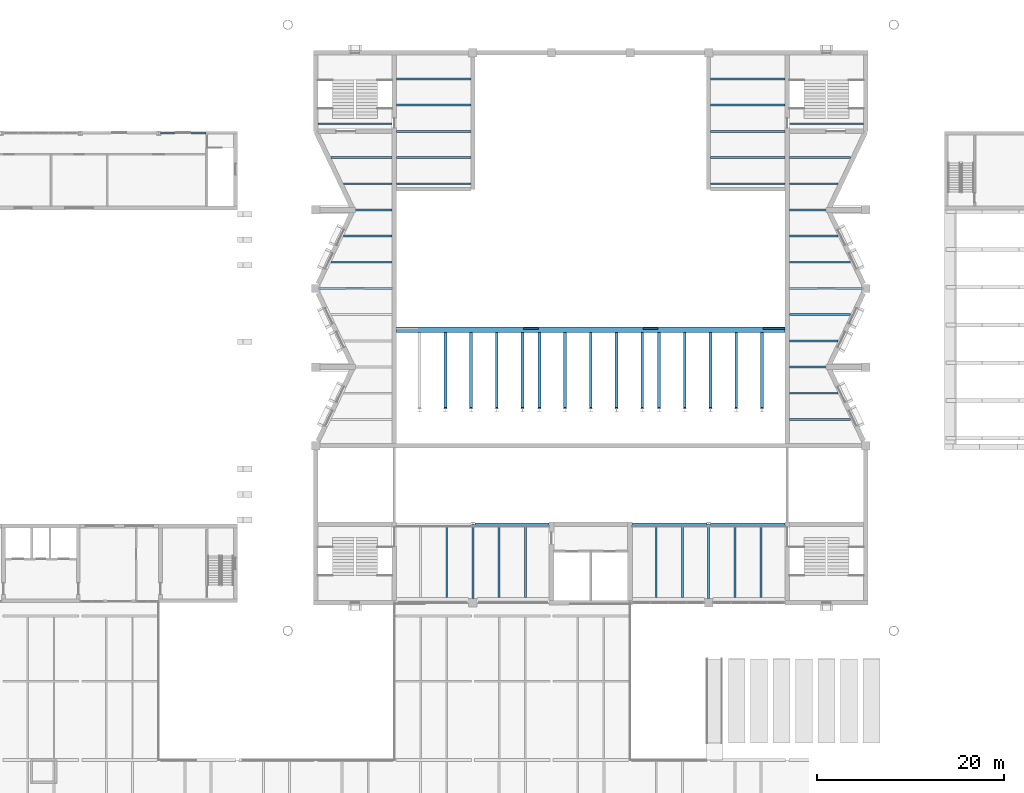
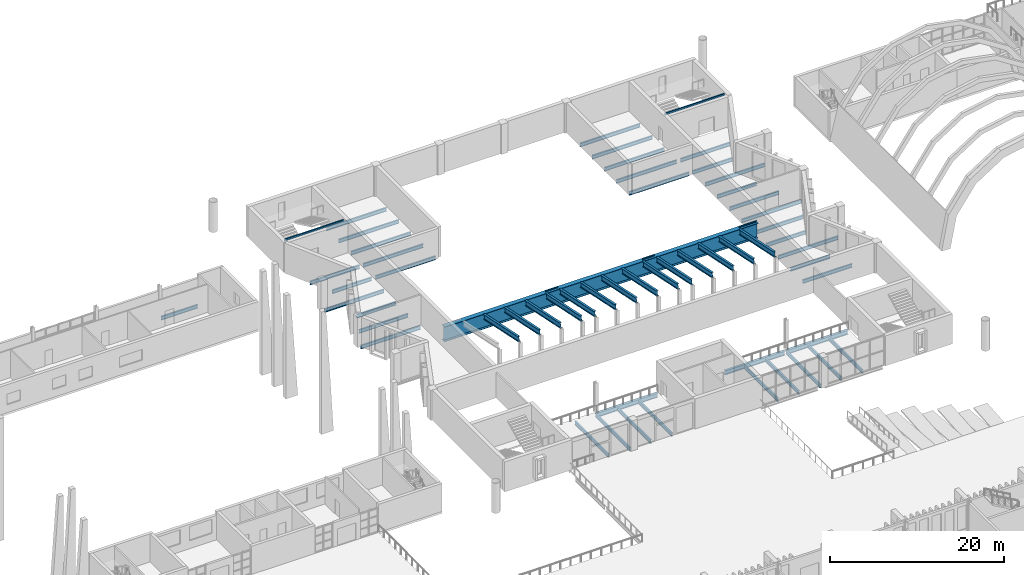
# One storey, part 35 of 96: 60 beams.
"""IFC4 building model written with IfcOpenShell, lengths in metres."""

from ifc_helpers import new_model, si_unit, direction, frame, origin, origin_2d, place, context, subcontext, project, spatial, i_section, extrude, material, material_profile, profile_set, type_object, element, save


model = new_model("IFC4")

# Units and contexts
model_context = context("Model", 3, precision=1e-05, world=origin(), true_north=direction((0.0, 1.0)))
body_context = subcontext(model_context, "Body", "Model", "MODEL_VIEW")
ifc_project = project(units=[si_unit("LENGTHUNIT", "METRE"), si_unit("AREAUNIT", "SQUARE_METRE"), si_unit("VOLUMEUNIT", "CUBIC_METRE"), si_unit("PLANEANGLEUNIT", "RADIAN"), si_unit("MASSUNIT", "GRAM", prefix="KILO")], contexts=[model_context])

# Site, building, storey
site_placement = place(None, origin())
site = spatial("IfcSite", under=ifc_project, at=site_placement, CompositionType="ELEMENT")
building_placement = place(site_placement, origin())
building = spatial("IfcBuilding", under=site, at=building_placement, Name="Cresset Court Congress Hotel", CompositionType="ELEMENT")
storey_placement = place(building_placement, frame((0.0, 0.0, 6.0)))
storey = spatial("IfcBuildingStorey", under=building, at=storey_placement, Name="L01", CompositionType="ELEMENT", Elevation=6.0)

# Beams
ifc_material_1 = material(Name="Structural steel Q355B", Category="steel")
ifc_material_profile_1 = material_profile(ifc_material_1, i_section(OverallWidth=0.300048828125, OverallDepth=0.587890625, WebThickness=0.011962890625, FlangeThickness=0.02001953125, FilletRadius=0.028076171875, at=origin_2d()), Name="HM588x300x12x20")
ifc_profile_set_1 = profile_set([ifc_material_profile_1], Name="Structural steel Q355B")
beam_type_1 = type_object("IfcBeamType", Name="Steel HM588x300x12x20 girder", PredefinedType="BEAM", material=ifc_profile_set_1)
beam_1_placement = place(storey_placement, frame((75.800048828125, 67.199951171875, -0.444091796875), z_axis=(1.0, 0.0, 0.0), x_axis=(0.0, 1.0, 0.0)))
element("IfcBeam", 1, at=beam_1_placement, inside=storey, type_object=beam_type_1, Name="Girder CG-F012", PredefinedType="BEAM", context=body_context, shape_type="SweptSolid", body=[
    extrude(i_section(OverallWidth=0.300048828125, OverallDepth=0.587890625, WebThickness=0.011962890625, FlangeThickness=0.02001953125, FilletRadius=0.028076171875, at=origin_2d()), origin(), (0.0, 0.0, 1.0), 7.949951171875),
])
beam_2_placement = place(storey_placement, frame((92.64990234375, 67.199951171875, -0.444091796875), z_axis=(1.0, 0.0, 0.0), x_axis=(0.0, 1.0, 0.0)))
element("IfcBeam", 2, at=beam_2_placement, inside=storey, type_object=beam_type_1, Name="Girder CG-F013", PredefinedType="BEAM", context=body_context, shape_type="SweptSolid", body=[
    extrude(i_section(OverallWidth=0.300048828125, OverallDepth=0.587890625, WebThickness=0.011962890625, FlangeThickness=0.02001953125, FilletRadius=0.028076171875, at=origin_2d()), origin(), (0.0, 0.0, 1.0), 7.9501953125),
])
beam_3_placement = place(storey_placement, frame((101.0, 67.199951171875, -0.444091796875), z_axis=(1.0, 0.0, 0.0), x_axis=(0.0, 1.0, 0.0)))
element("IfcBeam", 3, at=beam_3_placement, inside=storey, type_object=beam_type_1, Name="Girder CG-F014", PredefinedType="BEAM", context=body_context, shape_type="SweptSolid", body=[
    extrude(i_section(OverallWidth=0.300048828125, OverallDepth=0.587890625, WebThickness=0.011962890625, FlangeThickness=0.02001953125, FilletRadius=0.028076171875, at=origin_2d()), origin(), (0.0, 0.0, 1.0), 7.949951171875),
])
ifc_material_2 = material(Name="Structural steel Q355B", Category="steel")
ifc_material_profile_2 = material_profile(ifc_material_2, i_section(OverallWidth=0.14990234375, OverallDepth=0.300048828125, WebThickness=0.006591796875, FlangeThickness=0.009033203125, FilletRadius=0.012939453125, at=origin_2d()), Name="HN300x150x6.5x9")
ifc_profile_set_2 = profile_set([ifc_material_profile_2], Name="Structural steel Q355B")
beam_type_2 = type_object("IfcBeamType", Name="Steel HN300x150x6.5x9 strip beam", PredefinedType="BEAM", material=ifc_profile_set_2)
beam_4_placement = place(storey_placement, frame((59.050048828125, 110.02490234375, 3.85009765625), z_axis=(1.0, 0.0, 0.0), x_axis=(0.0, 1.0, 0.0)))
element("IfcBeam", 4, at=beam_4_placement, inside=storey, type_object=beam_type_2, Name="Beam CC-C3L02", PredefinedType="BEAM", context=body_context, shape_type="SweptSolid", body=[
    extrude(i_section(OverallWidth=0.14990234375, OverallDepth=0.300048828125, WebThickness=0.006591796875, FlangeThickness=0.009033203125, FilletRadius=0.012939453125, at=origin_2d()), origin(), (0.0, 0.0, 1.0), 7.89990234375),
])
beam_5_placement = place(storey_placement, frame((109.449951171875, 110.02490234375, 3.85009765625), z_axis=(1.0, 0.0, 0.0), x_axis=(0.0, 1.0, 0.0)))
element("IfcBeam", 5, at=beam_5_placement, inside=storey, type_object=beam_type_2, Name="Beam CC-C4L02", PredefinedType="BEAM", context=body_context, shape_type="SweptSolid", body=[
    extrude(i_section(OverallWidth=0.14990234375, OverallDepth=0.300048828125, WebThickness=0.006591796875, FlangeThickness=0.009033203125, FilletRadius=0.012939453125, at=origin_2d()), origin(), (0.0, 0.0, 1.0), 7.900146484375),
])
ifc_material_3 = material(Name="Structural steel Q355B", Category="steel")
ifc_material_profile_3 = material_profile(ifc_material_3, i_section(OverallWidth=0.199951171875, OverallDepth=0.5, WebThickness=0.010009765625, FlangeThickness=0.01611328125, FilletRadius=0.012939453125, at=origin_2d()), Name="HN500x200x10x16")
ifc_profile_set_3 = profile_set([ifc_material_profile_3], Name="Structural steel Q355B")
beam_type_3 = type_object("IfcBeamType", Name="Steel HN500x200x10x16 beam", PredefinedType="BEAM", material=ifc_profile_set_3)
beam_6_placement = place(storey_placement, frame((72.800048828125, 59.35009765625, -0.39990234375), z_axis=(0.0, 1.0, 0.0), x_axis=(-1.0, 0.0, 0.0)))
element("IfcBeam", 6, at=beam_6_placement, inside=storey, type_object=beam_type_3, Name="Beam CB-F012", PredefinedType="BEAM", context=body_context, shape_type="SweptSolid", body=[
    extrude(i_section(OverallWidth=0.199951171875, OverallDepth=0.5, WebThickness=0.010009765625, FlangeThickness=0.01611328125, FilletRadius=0.012939453125, at=origin_2d()), origin(), (0.0, 0.0, 1.0), 7.699951171875),
])
beam_7_placement = place(storey_placement, frame((75.60009765625, 59.25, -0.39990234375), z_axis=(0.0, 1.0, 0.0), x_axis=(-1.0, 0.0, 0.0)))
element("IfcBeam", 7, at=beam_7_placement, inside=storey, type_object=beam_type_3, Name="Beam CB-F013", PredefinedType="BEAM", context=body_context, shape_type="SweptSolid", body=[
    extrude(i_section(OverallWidth=0.199951171875, OverallDepth=0.5, WebThickness=0.010009765625, FlangeThickness=0.01611328125, FilletRadius=0.012939453125, at=origin_2d()), origin(), (0.0, 0.0, 1.0), 7.949951171875),
])
for number, where, z_axis, x_axis, name in (
    (8, (78.39990234375, 59.35009765625, -0.39990234375), (0.0, 1.0, 0.0), (-1.0, 0.0, 0.0), "Beam CB-F014"),
    (9, (81.199951171875, 59.35009765625, -0.39990234375), (0.0, 1.0, 0.0), (-1.0, 0.0, 0.0), "Beam CB-F015"),
    (10, (95.199951171875, 59.35009765625, -0.39990234375), (0.0, 1.0, 0.0), (-1.0, 0.0, 0.0), "Beam CB-F016"),
    (11, (98.0, 59.35009765625, -0.39990234375), (0.0, 1.0, 0.0), (-1.0, 0.0, 0.0), "Beam CB-F017"),
):
    element("IfcBeam", number, at=place(storey_placement, frame(where, z_axis=z_axis, x_axis=x_axis)), inside=storey, type_object=beam_type_3, Name=name, PredefinedType="BEAM", context=body_context, shape_type="SweptSolid", body=[
        extrude(i_section(OverallWidth=0.199951171875, OverallDepth=0.5, WebThickness=0.010009765625, FlangeThickness=0.01611328125, FilletRadius=0.012939453125, at=origin_2d()), origin(), (0.0, 0.0, 1.0), 7.699951171875),
    ])
beam_8_placement = place(storey_placement, frame((100.800048828125, 59.25, -0.39990234375), z_axis=(0.0, 1.0, 0.0), x_axis=(-1.0, 0.0, 0.0)))
element("IfcBeam", 12, at=beam_8_placement, inside=storey, type_object=beam_type_3, Name="Beam CB-F018", PredefinedType="BEAM", context=body_context, shape_type="SweptSolid", body=[
    extrude(i_section(OverallWidth=0.199951171875, OverallDepth=0.5, WebThickness=0.010009765625, FlangeThickness=0.01611328125, FilletRadius=0.012939453125, at=origin_2d()), origin(), (0.0, 0.0, 1.0), 7.949951171875),
])
for number, where, z_axis, x_axis, name in (
    (13, (103.60009765625, 59.35009765625, -0.39990234375), (0.0, 1.0, 0.0), (-1.0, 0.0, 0.0), "Beam CB-F019"),
    (14, (106.39990234375, 59.35009765625, -0.39990234375), (0.0, 1.0, 0.0), (-1.0, 0.0, 0.0), "Beam CB-F0110"),
):
    element("IfcBeam", number, at=place(storey_placement, frame(where, z_axis=z_axis, x_axis=x_axis)), inside=storey, type_object=beam_type_3, Name=name, PredefinedType="BEAM", context=body_context, shape_type="SweptSolid", body=[
        extrude(i_section(OverallWidth=0.199951171875, OverallDepth=0.5, WebThickness=0.010009765625, FlangeThickness=0.01611328125, FilletRadius=0.012939453125, at=origin_2d()), origin(), (0.0, 0.0, 1.0), 7.699951171875),
    ])
beam_9_placement = place(storey_placement, frame((59.050048828125, 92.39990234375, -0.39990234375), z_axis=(1.0, 0.0, 0.0), x_axis=(0.0, 1.0, 0.0)))
element("IfcBeam", 15, at=beam_9_placement, inside=storey, type_object=beam_type_3, Name="Beam CB-G16", PredefinedType="BEAM", context=body_context, shape_type="SweptSolid", body=[
    extrude(i_section(OverallWidth=0.199951171875, OverallDepth=0.5, WebThickness=0.010009765625, FlangeThickness=0.01611328125, FilletRadius=0.012939453125, at=origin_2d()), origin(), (0.0, 0.0, 1.0), 7.89990234375),
])
beam_10_placement = place(storey_placement, frame((60.41015625, 95.199951171875, -0.39990234375), z_axis=(1.0, 0.0, 0.0), x_axis=(0.0, 1.0, 0.0)))
element("IfcBeam", 16, at=beam_10_placement, inside=storey, type_object=beam_type_3, Name="Beam CB-G17", PredefinedType="BEAM", context=body_context, shape_type="SweptSolid", body=[
    extrude(i_section(OverallWidth=0.199951171875, OverallDepth=0.5, WebThickness=0.010009765625, FlangeThickness=0.01611328125, FilletRadius=0.012939453125, at=origin_2d()), origin(), (0.0, 0.0, 1.0), 6.539794921875),
])
beam_11_placement = place(storey_placement, frame((61.74365234375, 98.0, -0.39990234375), z_axis=(1.0, 0.0, 0.0), x_axis=(0.0, 1.0, 0.0)))
element("IfcBeam", 17, at=beam_11_placement, inside=storey, type_object=beam_type_3, Name="Beam CB-G18", PredefinedType="BEAM", context=body_context, shape_type="SweptSolid", body=[
    extrude(i_section(OverallWidth=0.199951171875, OverallDepth=0.5, WebThickness=0.010009765625, FlangeThickness=0.01611328125, FilletRadius=0.012939453125, at=origin_2d()), origin(), (0.0, 0.0, 1.0), 5.206298828125),
])
beam_12_placement = place(storey_placement, frame((59.050048828125, 100.800048828125, -0.39990234375), z_axis=(1.0, 0.0, 0.0), x_axis=(0.0, 1.0, 0.0)))
element("IfcBeam", 18, at=beam_12_placement, inside=storey, type_object=beam_type_3, Name="Beam CB-G19", PredefinedType="BEAM", context=body_context, shape_type="SweptSolid", body=[
    extrude(i_section(OverallWidth=0.199951171875, OverallDepth=0.5, WebThickness=0.010009765625, FlangeThickness=0.01611328125, FilletRadius=0.012939453125, at=origin_2d()), origin(), (0.0, 0.0, 1.0), 7.89990234375),
])
beam_13_placement = place(storey_placement, frame((61.74365234375, 103.60009765625, -0.39990234375), z_axis=(1.0, 0.0, 0.0), x_axis=(0.0, 1.0, 0.0)))
element("IfcBeam", 19, at=beam_13_placement, inside=storey, type_object=beam_type_3, Name="Beam CB-G110", PredefinedType="BEAM", context=body_context, shape_type="SweptSolid", body=[
    extrude(i_section(OverallWidth=0.199951171875, OverallDepth=0.5, WebThickness=0.010009765625, FlangeThickness=0.01611328125, FilletRadius=0.012939453125, at=origin_2d()), origin(), (0.0, 0.0, 1.0), 5.206298828125),
])
for number, where, z_axis, x_axis, name in (
    (20, (60.41015625, 106.39990234375, -0.39990234375), (1.0, 0.0, 0.0), (0.0, 1.0, 0.0), "Beam CB-G111"),
    (21, (109.449951171875, 78.39990234375, -0.39990234375), (1.0, 0.0, 0.0), (0.0, 1.0, 0.0), "Beam CB-G21"),
):
    element("IfcBeam", number, at=place(storey_placement, frame(where, z_axis=z_axis, x_axis=x_axis)), inside=storey, type_object=beam_type_3, Name=name, PredefinedType="BEAM", context=body_context, shape_type="SweptSolid", body=[
        extrude(i_section(OverallWidth=0.199951171875, OverallDepth=0.5, WebThickness=0.010009765625, FlangeThickness=0.01611328125, FilletRadius=0.012939453125, at=origin_2d()), origin(), (0.0, 0.0, 1.0), 6.539794921875),
    ])
beam_14_placement = place(storey_placement, frame((109.449951171875, 81.199951171875, -0.39990234375), z_axis=(1.0, 0.0, 0.0), x_axis=(0.0, 1.0, 0.0)))
element("IfcBeam", 22, at=beam_14_placement, inside=storey, type_object=beam_type_3, Name="Beam CB-G22", PredefinedType="BEAM", context=body_context, shape_type="SweptSolid", body=[
    extrude(i_section(OverallWidth=0.199951171875, OverallDepth=0.5, WebThickness=0.010009765625, FlangeThickness=0.01611328125, FilletRadius=0.012939453125, at=origin_2d()), origin(), (0.0, 0.0, 1.0), 5.20654296875),
])
beam_15_placement = place(storey_placement, frame((109.449951171875, 84.0, -0.39990234375), z_axis=(1.0, 0.0, 0.0), x_axis=(0.0, 1.0, 0.0)))
element("IfcBeam", 23, at=beam_15_placement, inside=storey, type_object=beam_type_3, Name="Beam CB-G23", PredefinedType="BEAM", context=body_context, shape_type="SweptSolid", body=[
    extrude(i_section(OverallWidth=0.199951171875, OverallDepth=0.5, WebThickness=0.010009765625, FlangeThickness=0.01611328125, FilletRadius=0.012939453125, at=origin_2d()), origin(), (0.0, 0.0, 1.0), 7.900146484375),
])
beam_16_placement = place(storey_placement, frame((109.449951171875, 86.800048828125, -0.39990234375), z_axis=(1.0, 0.0, 0.0), x_axis=(0.0, 1.0, 0.0)))
element("IfcBeam", 24, at=beam_16_placement, inside=storey, type_object=beam_type_3, Name="Beam CB-G24", PredefinedType="BEAM", context=body_context, shape_type="SweptSolid", body=[
    extrude(i_section(OverallWidth=0.199951171875, OverallDepth=0.5, WebThickness=0.010009765625, FlangeThickness=0.01611328125, FilletRadius=0.012939453125, at=origin_2d()), origin(), (0.0, 0.0, 1.0), 5.20654296875),
])
beam_17_placement = place(storey_placement, frame((109.449951171875, 89.60009765625, -0.39990234375), z_axis=(1.0, 0.0, 0.0), x_axis=(0.0, 1.0, 0.0)))
element("IfcBeam", 25, at=beam_17_placement, inside=storey, type_object=beam_type_3, Name="Beam CB-G25", PredefinedType="BEAM", context=body_context, shape_type="SweptSolid", body=[
    extrude(i_section(OverallWidth=0.199951171875, OverallDepth=0.5, WebThickness=0.010009765625, FlangeThickness=0.01611328125, FilletRadius=0.012939453125, at=origin_2d()), origin(), (0.0, 0.0, 1.0), 6.539794921875),
])
beam_18_placement = place(storey_placement, frame((109.449951171875, 92.39990234375, -0.39990234375), z_axis=(1.0, 0.0, 0.0), x_axis=(0.0, 1.0, 0.0)))
element("IfcBeam", 26, at=beam_18_placement, inside=storey, type_object=beam_type_3, Name="Beam CB-G26", PredefinedType="BEAM", context=body_context, shape_type="SweptSolid", body=[
    extrude(i_section(OverallWidth=0.199951171875, OverallDepth=0.5, WebThickness=0.010009765625, FlangeThickness=0.01611328125, FilletRadius=0.012939453125, at=origin_2d()), origin(), (0.0, 0.0, 1.0), 7.900146484375),
])
beam_19_placement = place(storey_placement, frame((109.449951171875, 95.199951171875, -0.39990234375), z_axis=(1.0, 0.0, 0.0), x_axis=(0.0, 1.0, 0.0)))
element("IfcBeam", 27, at=beam_19_placement, inside=storey, type_object=beam_type_3, Name="Beam CB-G27", PredefinedType="BEAM", context=body_context, shape_type="SweptSolid", body=[
    extrude(i_section(OverallWidth=0.199951171875, OverallDepth=0.5, WebThickness=0.010009765625, FlangeThickness=0.01611328125, FilletRadius=0.012939453125, at=origin_2d()), origin(), (0.0, 0.0, 1.0), 6.539794921875),
])
beam_20_placement = place(storey_placement, frame((109.449951171875, 98.0, -0.39990234375), z_axis=(1.0, 0.0, 0.0), x_axis=(0.0, 1.0, 0.0)))
element("IfcBeam", 28, at=beam_20_placement, inside=storey, type_object=beam_type_3, Name="Beam CB-G28", PredefinedType="BEAM", context=body_context, shape_type="SweptSolid", body=[
    extrude(i_section(OverallWidth=0.199951171875, OverallDepth=0.5, WebThickness=0.010009765625, FlangeThickness=0.01611328125, FilletRadius=0.012939453125, at=origin_2d()), origin(), (0.0, 0.0, 1.0), 5.20654296875),
])
beam_21_placement = place(storey_placement, frame((109.449951171875, 100.800048828125, -0.39990234375), z_axis=(1.0, 0.0, 0.0), x_axis=(0.0, 1.0, 0.0)))
element("IfcBeam", 29, at=beam_21_placement, inside=storey, type_object=beam_type_3, Name="Beam CB-G29", PredefinedType="BEAM", context=body_context, shape_type="SweptSolid", body=[
    extrude(i_section(OverallWidth=0.199951171875, OverallDepth=0.5, WebThickness=0.010009765625, FlangeThickness=0.01611328125, FilletRadius=0.012939453125, at=origin_2d()), origin(), (0.0, 0.0, 1.0), 7.900146484375),
])
beam_22_placement = place(storey_placement, frame((109.449951171875, 103.60009765625, -0.39990234375), z_axis=(1.0, 0.0, 0.0), x_axis=(0.0, 1.0, 0.0)))
element("IfcBeam", 30, at=beam_22_placement, inside=storey, type_object=beam_type_3, Name="Beam CB-G210", PredefinedType="BEAM", context=body_context, shape_type="SweptSolid", body=[
    extrude(i_section(OverallWidth=0.199951171875, OverallDepth=0.5, WebThickness=0.010009765625, FlangeThickness=0.01611328125, FilletRadius=0.012939453125, at=origin_2d()), origin(), (0.0, 0.0, 1.0), 5.20654296875),
])
beam_23_placement = place(storey_placement, frame((109.449951171875, 106.39990234375, -0.39990234375), z_axis=(1.0, 0.0, 0.0), x_axis=(0.0, 1.0, 0.0)))
element("IfcBeam", 31, at=beam_23_placement, inside=storey, type_object=beam_type_3, Name="Beam CB-G211", PredefinedType="BEAM", context=body_context, shape_type="SweptSolid", body=[
    extrude(i_section(OverallWidth=0.199951171875, OverallDepth=0.5, WebThickness=0.010009765625, FlangeThickness=0.01611328125, FilletRadius=0.012939453125, at=origin_2d()), origin(), (0.0, 0.0, 1.0), 6.539794921875),
])
for number, where, z_axis, x_axis, name in (
    (32, (67.449951171875, 103.60009765625, -0.39990234375), (1.0, 0.0, 0.0), (0.0, 1.0, 0.0), "Beam CB-W1011"),
    (33, (67.449951171875, 106.39990234375, -0.39990234375), (1.0, 0.0, 0.0), (0.0, 1.0, 0.0), "Beam CB-W1012"),
    (34, (67.449951171875, 109.199951171875, -0.39990234375), (1.0, 0.0, 0.0), (0.0, 1.0, 0.0), "Beam CB-W1013"),
    (35, (67.449951171875, 112.0, -0.39990234375), (1.0, 0.0, 0.0), (0.0, 1.0, 0.0), "Beam CB-W1014"),
    (36, (67.449951171875, 114.800048828125, -0.39990234375), (1.0, 0.0, 0.0), (0.0, 1.0, 0.0), "Beam CB-W1015"),
    (37, (101.0, 103.60009765625, -0.39990234375), (1.0, 0.0, 0.0), (0.0, 1.0, 0.0), "Beam CB-W2011"),
    (38, (101.0, 106.39990234375, -0.39990234375), (1.0, 0.0, 0.0), (0.0, 1.0, 0.0), "Beam CB-W2012"),
    (39, (101.0, 109.199951171875, -0.39990234375), (1.0, 0.0, 0.0), (0.0, 1.0, 0.0), "Beam CB-W2013"),
    (40, (101.0, 112.0, -0.39990234375), (1.0, 0.0, 0.0), (0.0, 1.0, 0.0), "Beam CB-W2014"),
    (41, (101.0, 114.800048828125, -0.39990234375), (1.0, 0.0, 0.0), (0.0, 1.0, 0.0), "Beam CB-W2015"),
):
    element("IfcBeam", number, at=place(storey_placement, frame(where, z_axis=z_axis, x_axis=x_axis)), inside=storey, type_object=beam_type_3, Name=name, PredefinedType="BEAM", context=body_context, shape_type="SweptSolid", body=[
        extrude(i_section(OverallWidth=0.199951171875, OverallDepth=0.5, WebThickness=0.010009765625, FlangeThickness=0.01611328125, FilletRadius=0.012939453125, at=origin_2d()), origin(), (0.0, 0.0, 1.0), 7.949951171875),
    ])
ifc_material_4 = material(Name="Structural steel Q355B", Category="steel")
ifc_material_profile_4 = material_profile(ifc_material_4, i_section(OverallWidth=0.300048828125, OverallDepth=0.69189453125, WebThickness=0.012939453125, FlangeThickness=0.02001953125, FilletRadius=0.01806640625, at=origin_2d()), Name="HN692x300x13x20")
ifc_profile_set_4 = profile_set([ifc_material_profile_4], Name="Structural steel Q355B")
beam_type_4 = type_object("IfcBeamType", Name="Steel HN692x300x13x20 front raker beam", PredefinedType="BEAM", material=ifc_profile_set_4)
for number, where, z_axis, x_axis, name in (
    (42, (72.64990234375, 79.609375, 3.69140625), (0.0, 0.978978932116, -0.203961394563), (-1.0, 0.0, 0.0), "Raker beam CK-2b"),
    (43, (75.39990234375, 79.609375, 3.69140625), (0.0, 0.978978932116, -0.203961394563), (-1.0, 0.0, 0.0), "Raker beam CK-3b"),
    (44, (78.14990234375, 79.609375, 3.69140625), (0.0, 0.978978932116, -0.203961394563), (-1.0, 0.0, 0.0), "Raker beam CK-4b"),
    (45, (80.89990234375, 79.609375, 3.69140625), (0.0, 0.978978932116, -0.203961394563), (-1.0, 0.0, 0.0), "Raker beam CK-5b"),
    (46, (82.699951171875, 79.609375, 3.69140625), (0.0, 0.978978932116, -0.203961394563), (-1.0, 0.0, 0.0), "Raker beam CK-6b"),
    (47, (85.449951171875, 79.609375, 3.69140625), (0.0, 0.978978932116, -0.203961394563), (-1.0, 0.0, 0.0), "Raker beam CK-7b"),
    (48, (88.199951171875, 79.609375, 3.69140625), (0.0, 0.978978932116, -0.203961394563), (-1.0, 0.0, 0.0), "Raker beam CK-8b"),
    (49, (90.949951171875, 79.609375, 3.69140625), (0.0, 0.978978932116, -0.203961394563), (-1.0, 0.0, 0.0), "Raker beam CK-9b"),
    (50, (93.699951171875, 79.609375, 3.69140625), (0.0, 0.978978932116, -0.203961394563), (-1.0, 0.0, 0.0), "Raker beam CK-10b"),
    (51, (95.5, 79.609375, 3.69140625), (0.0, 0.978978932116, -0.203961394563), (-1.0, 0.0, 0.0), "Raker beam CK-11b"),
    (52, (98.25, 79.609375, 3.69140625), (0.0, 0.978978932116, -0.203961394563), (-1.0, 0.0, 0.0), "Raker beam CK-12b"),
    (53, (101.0, 79.609375, 3.69140625), (0.0, 0.978978932116, -0.203961394563), (-1.0, 0.0, 0.0), "Raker beam CK-13b"),
    (54, (103.75, 79.609375, 3.69140625), (0.0, 0.978978932116, -0.203961394563), (-1.0, 0.0, 0.0), "Raker beam CK-14b"),
    (55, (106.5, 79.609375, 3.69140625), (0.0, 0.978978932116, -0.203961394563), (-1.0, 0.0, 0.0), "Raker beam CK-15b"),
):
    element("IfcBeam", number, at=place(storey_placement, frame(where, z_axis=z_axis, x_axis=x_axis)), inside=storey, type_object=beam_type_4, Name=name, PredefinedType="BEAM", context=body_context, shape_type="SweptSolid", body=[
        extrude(i_section(OverallWidth=0.300048828125, OverallDepth=0.69189453125, WebThickness=0.012939453125, FlangeThickness=0.02001953125, FilletRadius=0.01806640625, at=origin_2d()), origin(), (0.0, 0.0, 1.0), 8.192138671875),
    ])
ifc_material_5 = material(Name="Structural steel Q355B", Category="steel")
ifc_material_profile_5 = material_profile(ifc_material_5, i_section(OverallWidth=0.14990234375, OverallDepth=0.14990234375, WebThickness=0.007080078125, FlangeThickness=0.010009765625, FilletRadius=0.008056640625, at=origin_2d()), Name="HW150x150x7x10")
ifc_profile_set_5 = profile_set([ifc_material_profile_5], Name="Structural steel Q355B")
beam_type_5 = type_object("IfcBeamType", Name="Steel HW150x150x7x10 stair bearer", PredefinedType="BEAM", material=ifc_profile_set_5)
beam_24_placement = place(storey_placement, frame((81.0, 88.074951171875, 2.371826171875), z_axis=(1.0, 0.0, 0.0), x_axis=(0.0, 1.0, 0.0)))
element("IfcBeam", 56, at=beam_24_placement, inside=storey, type_object=beam_type_5, Name="Stair bearer CB-2F", PredefinedType="BEAM", context=body_context, shape_type="SweptSolid", body=[
    extrude(i_section(OverallWidth=0.14990234375, OverallDepth=0.14990234375, WebThickness=0.007080078125, FlangeThickness=0.010009765625, FilletRadius=0.008056640625, at=origin_2d()), origin(), (0.0, 0.0, 1.0), 1.60009765625),
])
beam_25_placement = place(storey_placement, frame((93.800048828125, 88.074951171875, 2.371826171875), z_axis=(1.0, 0.0, 0.0), x_axis=(0.0, 1.0, 0.0)))
element("IfcBeam", 57, at=beam_25_placement, inside=storey, type_object=beam_type_5, Name="Stair bearer CB-3F", PredefinedType="BEAM", context=body_context, shape_type="SweptSolid", body=[
    extrude(i_section(OverallWidth=0.14990234375, OverallDepth=0.14990234375, WebThickness=0.007080078125, FlangeThickness=0.010009765625, FilletRadius=0.008056640625, at=origin_2d()), origin(), (0.0, 0.0, 1.0), 1.599853515625),
])
beam_26_placement = place(storey_placement, frame((106.60009765625, 88.074951171875, 2.371826171875), z_axis=(1.0, 0.0, 0.0), x_axis=(0.0, 1.0, 0.0)))
element("IfcBeam", 58, at=beam_26_placement, inside=storey, type_object=beam_type_5, Name="Stair bearer CB-4F", PredefinedType="BEAM", context=body_context, shape_type="SweptSolid", body=[
    extrude(i_section(OverallWidth=0.14990234375, OverallDepth=0.14990234375, WebThickness=0.007080078125, FlangeThickness=0.010009765625, FilletRadius=0.008056640625, at=origin_2d()), origin(), (0.0, 0.0, 1.0), 2.349853515625),
])
ifc_material_6 = material(Name="Structural steel Q355B", Category="steel")
ifc_material_profile_6 = material_profile(ifc_material_6, i_section(OverallWidth=0.199951171875, OverallDepth=0.5, WebThickness=0.010009765625, FlangeThickness=0.01611328125, FilletRadius=0.012939453125, at=origin_2d()), Name="HN500x200x10x16")
ifc_profile_set_6 = profile_set([ifc_material_profile_6], Name="Structural steel Q355B")
beam_type_6 = type_object("IfcBeamType", Name="Steel edge beam HN500x200x10x16 external", PredefinedType="BEAM", material=ifc_profile_set_6)
beam_27_placement = place(storey_placement, frame((42.199951171875, 109.0, -0.530029296875), z_axis=(1.0, 0.0, 0.0), x_axis=(0.0, 1.0, 0.0)))
element("IfcBeam", 59, at=beam_27_placement, inside=storey, type_object=beam_type_6, Name="North edge beam L00 5", PredefinedType="BEAM", context=body_context, shape_type="SweptSolid", body=[
    extrude(i_section(OverallWidth=0.199951171875, OverallDepth=0.5, WebThickness=0.010009765625, FlangeThickness=0.01611328125, FilletRadius=0.012939453125, at=origin_2d()), origin(), (0.0, 0.0, 1.0), 4.85009765625),
])
ifc_material_7 = material(Name="Structural steel Q355B", Category="steel")
ifc_material_profile_7 = material_profile(ifc_material_7, i_section(OverallWidth=0.60009765625, OverallDepth=2.090087890625, WebThickness=0.02490234375, FlangeThickness=0.044921875, at=origin_2d()), Name="WH2000x600x25x45")
ifc_profile_set_7 = profile_set([ifc_material_profile_7], Name="Structural steel Q355B")
beam_type_7 = type_object("IfcBeamType", Name="Welded WH2000x600x25x45 girder", PredefinedType="BEAM", material=ifc_profile_set_7)
beam_28_placement = place(storey_placement, frame((67.449951171875, 88.0, 1.251708984375), z_axis=(1.0, 0.0, 0.0), x_axis=(0.0, 1.0, 0.0)))
element("IfcBeam", 60, at=beam_28_placement, inside=storey, type_object=beam_type_7, Name="Girder CG-B1", PredefinedType="BEAM", context=body_context, shape_type="SweptSolid", body=[
    extrude(i_section(OverallWidth=0.60009765625, OverallDepth=2.090087890625, WebThickness=0.02490234375, FlangeThickness=0.044921875, at=origin_2d()), origin(), (0.0, 0.0, 1.0), 41.5),
])

save(model, "model.ifc")
